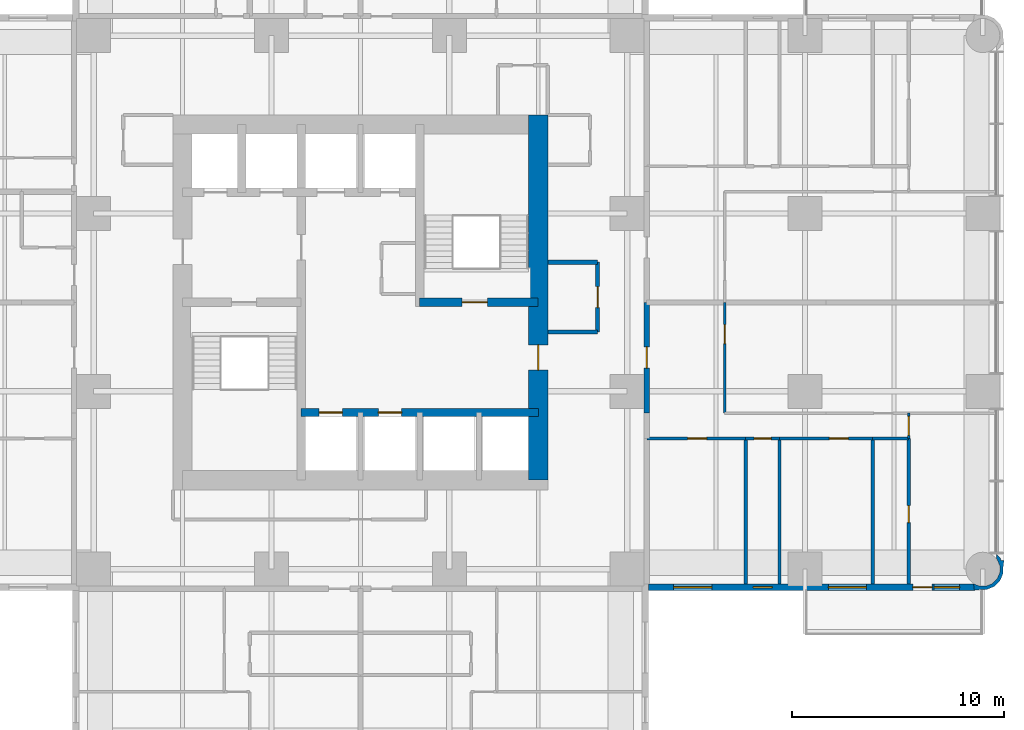
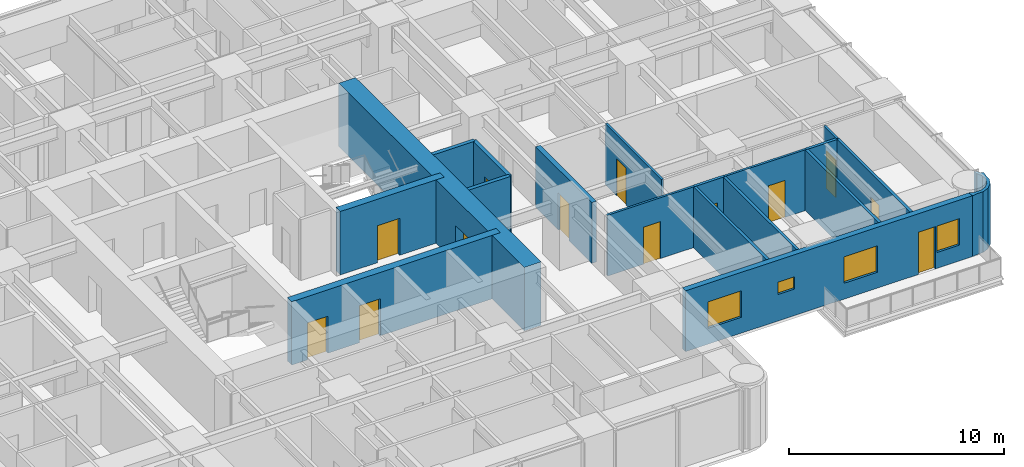
# One storey, part 9 of 14: 19 walls, 13 doors, 4 windows, 17 openings.
"""IFC4 building model written with IfcOpenShell, lengths in metres."""

from ifc_helpers import new_model, si_unit, direction, frame, frame_2d, origin, place, context, subcontext, project, spatial, polyline, rectangle, outline, extrude, material, layer, layer_set, type_object, element, fill, save


model = new_model("IFC4")

# Units and contexts
model_context = context("Model", 3, precision=1e-05, world=origin(), true_north=direction((0.0, 1.0)))
body_context = subcontext(model_context, "Body", "Model", "MODEL_VIEW")
ifc_project = project(units=[si_unit("LENGTHUNIT", "METRE"), si_unit("AREAUNIT", "SQUARE_METRE"), si_unit("VOLUMEUNIT", "CUBIC_METRE"), si_unit("PLANEANGLEUNIT", "RADIAN"), si_unit("MASSUNIT", "GRAM", prefix="KILO")], contexts=[model_context])

# Site, building, storey
site_placement = place(None, origin())
site = spatial("IfcSite", under=ifc_project, at=site_placement, CompositionType="ELEMENT")
building_placement = place(site_placement, origin())
building = spatial("IfcBuilding", under=site, at=building_placement, Name="Torre Alcanfor", CompositionType="ELEMENT")
storey_placement = place(building_placement, frame((0.0, 0.0, 126.89990234375)))
storey = spatial("IfcBuildingStorey", under=building, at=storey_placement, Name="L32", CompositionType="ELEMENT", Elevation=126.89990234375)

# Wall, opening, door
ifc_material_1 = material(Name="Concrete block masonry, hollow blocks NMX-C-404 9 MPa", Category="masonry")
ifc_layer_1 = layer(ifc_material_1, 0.25)
ifc_layer_set_1 = layer_set([ifc_layer_1], Name="Apartment entrance wall 250 EI 60")
wall_type_1 = type_object("IfcWallType", Name="Apartment entrance wall 250 EI 60", PredefinedType="PARTITIONING", material=ifc_layer_set_1)
wall_1_placement = place(storey_placement, frame((42.925048828125, 29.39990234375, 0.0), z_axis=(0.0, 0.0, 1.0), x_axis=(0.0, -1.0, 0.0)))
wall_1 = element("IfcWall", 1, at=wall_1_placement, inside=storey, type_object=wall_type_1, Name="Partition L32-CORR / L32-E2-ZAG", PredefinedType="PARTITIONING", context=body_context, shape_type="SweptSolid", body=[
    extrude(rectangle(XDim=5.22900390625, YDim=0.25, at=frame_2d((2.614501953125, 0.0))), origin(), (0.0, 0.0, 1.0), 3.4501953125),
])
opening_1_placement = place(wall_1_placement, frame((2.10009765625, 0.0, 0.0)))
opening_1 = element("IfcOpeningElement", 2, at=opening_1_placement, cuts=wall_1, Name="Opening D-A1", PredefinedType="OPENING", context=body_context, shape_type="SweptSolid", body=[
    extrude(rectangle(XDim=1.0, YDim=2.10009765625, at=frame_2d((0.5, 1.050048828125))), frame((0.0, 0.135009765625, 0.0), z_axis=(0.0, -1.0, 0.0), x_axis=(1.0, 0.0, 0.0)), (0.0, 0.0, 1.0), 0.27001953125),
])
ifc_material_2 = material(Name="Galvanised steel sheet ASTM A653", Category="steel")
door_type_1 = type_object("IfcDoorType", Name="Apartment entrance door FD60 1000x2100", OperationType="SINGLE_SWING_LEFT", PredefinedType="DOOR", material=ifc_material_2)
door_1_placement = place(opening_1_placement, origin())
door_1 = element("IfcDoor", 3, at=door_1_placement, inside=storey, type_object=door_type_1, Name="Apartment entrance L32-E2", OperationType="SINGLE_SWING_LEFT", OverallHeight=2.10009765625, OverallWidth=1.0, PredefinedType="DOOR", context=body_context, shape_type="SweptSolid", body=[
    extrude(rectangle(XDim=1.0, YDim=2.10009765625, at=frame_2d((0.5, 1.050048828125))), frame((0.0, 0.02490234375, 0.0), z_axis=(0.0, -1.0, 0.0), x_axis=(1.0, 0.0, 0.0)), (0.0, 0.0, 1.0), 0.050048828125),
])
fill(opening_1, door_1)

ifc_material_3 = material(Name="Gypsum board on steel studs", Category="steel")
ifc_layer_2 = layer(ifc_material_3, 0.1201171875)
ifc_layer_set_2 = layer_set([ifc_layer_2], Name="Apartment partition 120")
wall_type_2 = type_object("IfcWallType", Name="Apartment partition 120", PredefinedType="PARTITIONING", material=ifc_layer_set_2)
wall_2_placement = place(storey_placement, frame((46.60009765625, 29.39990234375, 0.0), z_axis=(0.0, 0.0, 1.0), x_axis=(0.0, -1.0, 0.0)))
wall_2 = element("IfcWall", 4, at=wall_2_placement, inside=storey, type_object=wall_type_2, Name="Partition L32-E2-ZAG / L32-E2-KITCHEN", PredefinedType="PARTITIONING", context=body_context, shape_type="SweptSolid", body=[
    extrude(rectangle(XDim=5.22900390625, YDim=0.1201171875, at=frame_2d((2.614501953125, 0.0))), origin(), (0.0, 0.0, 1.0), 3.4501953125),
])
opening_2_placement = place(wall_2_placement, frame((1.050048828125, 0.0, 0.0)))
opening_2 = element("IfcOpeningElement", 5, at=opening_2_placement, cuts=wall_2, Name="Opening D-R1", PredefinedType="OPENING", context=body_context, shape_type="SweptSolid", body=[
    extrude(rectangle(XDim=0.89990234375, YDim=2.10009765625, at=frame_2d((0.449951171875, 1.050048828125))), frame((0.0, 0.070068359375, 0.0), z_axis=(0.0, -1.0, 0.0), x_axis=(1.0, 0.0, 0.0)), (0.0, 0.0, 1.0), 0.14013671875),
])
ifc_material_4 = material(Name="Timber", Category="wood")
door_type_2 = type_object("IfcDoorType", Name="Internal door 900x2100", OperationType="SINGLE_SWING_LEFT", PredefinedType="DOOR", material=ifc_material_4)
door_2_placement = place(opening_2_placement, origin())
door_2 = element("IfcDoor", 6, at=door_2_placement, inside=storey, type_object=door_type_2, Name="Door L32-E2 kitchen", OperationType="SINGLE_SWING_LEFT", OverallHeight=2.10009765625, OverallWidth=0.89990234375, PredefinedType="DOOR", context=body_context, shape_type="SweptSolid", body=[
    extrude(rectangle(XDim=0.89990234375, YDim=2.10009765625, at=frame_2d((0.449951171875, 1.050048828125))), frame((0.0, 0.02490234375, 0.0), z_axis=(0.0, -1.0, 0.0), x_axis=(1.0, 0.0, 0.0)), (0.0, 0.0, 1.0), 0.050048828125),
])
fill(opening_2, door_2)

wall_3_placement = place(storey_placement, frame((47.60009765625, 22.970947265625, 0.0), z_axis=(0.0, 0.0, 1.0), x_axis=(-1.0, 0.0, 0.0)))
wall_3 = element("IfcWall", 7, at=wall_3_placement, inside=storey, type_object=wall_type_2, Name="Partition L32-E2-HALL / L32-E2-BED3", PredefinedType="PARTITIONING", context=body_context, shape_type="SweptSolid", body=[
    extrude(rectangle(XDim=4.675048828125, YDim=0.1201171875, at=frame_2d((2.33740234375, 0.0))), origin(), (0.0, 0.0, 1.0), 3.4501953125),
])
opening_3_placement = place(wall_3_placement, frame((1.85009765625, 0.0, 0.0)))
opening_3 = element("IfcOpeningElement", 8, at=opening_3_placement, cuts=wall_3, Name="Opening D-R1", PredefinedType="OPENING", context=body_context, shape_type="SweptSolid", body=[
    extrude(rectangle(XDim=0.89990234375, YDim=2.10009765625, at=frame_2d((0.449951171875, 1.050048828125))), frame((0.0, 0.070068359375, 0.0), z_axis=(0.0, -1.0, 0.0), x_axis=(1.0, 0.0, 0.0)), (0.0, 0.0, 1.0), 0.14013671875),
])
door_3_placement = place(opening_3_placement, origin())
door_3 = element("IfcDoor", 9, at=door_3_placement, inside=storey, type_object=door_type_2, Name="Door L32-E2 bed3", OperationType="SINGLE_SWING_LEFT", OverallHeight=2.10009765625, OverallWidth=0.89990234375, PredefinedType="DOOR", context=body_context, shape_type="SweptSolid", body=[
    extrude(rectangle(XDim=0.89990234375, YDim=2.10009765625, at=frame_2d((0.449951171875, 1.050048828125))), frame((0.0, 0.02490234375, 0.0), z_axis=(0.0, -1.0, 0.0), x_axis=(1.0, 0.0, 0.0)), (0.0, 0.0, 1.0), 0.050048828125),
])
fill(opening_3, door_3)

wall_4_placement = place(storey_placement, frame((53.60009765625, 22.970947265625, 0.0), z_axis=(0.0, 0.0, 1.0), x_axis=(-1.0, 0.0, 0.0)))
wall_4 = element("IfcWall", 10, at=wall_4_placement, inside=storey, type_object=wall_type_2, Name="Partition L32-E2-HALL / L32-E2-BED2", PredefinedType="PARTITIONING", context=body_context, shape_type="SweptSolid", body=[
    extrude(rectangle(XDim=4.400146484375, YDim=0.1201171875, at=frame_2d((2.2001953125, 0.0))), origin(), (0.0, 0.0, 1.0), 3.4501953125),
])
opening_4_placement = place(wall_4_placement, frame((1.14990234375, 0.0, 0.0)))
opening_4 = element("IfcOpeningElement", 11, at=opening_4_placement, cuts=wall_4, Name="Opening D-R1", PredefinedType="OPENING", context=body_context, shape_type="SweptSolid", body=[
    extrude(rectangle(XDim=0.89990234375, YDim=2.10009765625, at=frame_2d((0.449951171875, 1.050048828125))), frame((0.0, 0.070068359375, 0.0), z_axis=(0.0, -1.0, 0.0), x_axis=(1.0, 0.0, 0.0)), (0.0, 0.0, 1.0), 0.14013671875),
])
door_4_placement = place(opening_4_placement, origin())
door_4 = element("IfcDoor", 12, at=door_4_placement, inside=storey, type_object=door_type_2, Name="Door L32-E2 bed2", OperationType="SINGLE_SWING_LEFT", OverallHeight=2.10009765625, OverallWidth=0.89990234375, PredefinedType="DOOR", context=body_context, shape_type="SweptSolid", body=[
    extrude(rectangle(XDim=0.89990234375, YDim=2.10009765625, at=frame_2d((0.449951171875, 1.050048828125))), frame((0.0, 0.02490234375, 0.0), z_axis=(0.0, -1.0, 0.0), x_axis=(1.0, 0.0, 0.0)), (0.0, 0.0, 1.0), 0.050048828125),
])
fill(opening_4, door_4)

wall_5_placement = place(storey_placement, frame((55.300048828125, 24.1708984375, 0.0), z_axis=(0.0, 0.0, 1.0), x_axis=(0.0, -1.0, 0.0)))
wall_5 = element("IfcWall", 13, at=wall_5_placement, inside=storey, type_object=wall_type_2, Name="Partition L32-E2-HALL / L32-E2-MASTER", PredefinedType="PARTITIONING", context=body_context, shape_type="SweptSolid", body=[
    extrude(rectangle(XDim=1.199951171875, YDim=0.1201171875, at=frame_2d((0.60009765625, 0.0))), origin(), (0.0, 0.0, 1.0), 3.4501953125),
])
opening_5_placement = place(wall_5_placement, frame((0.15087890625, 0.0, 0.0)))
opening_5 = element("IfcOpeningElement", 14, at=opening_5_placement, cuts=wall_5, Name="Opening D-R1", PredefinedType="OPENING", context=body_context, shape_type="SweptSolid", body=[
    extrude(rectangle(XDim=0.89990234375, YDim=2.10009765625, at=frame_2d((0.449951171875, 1.050048828125))), frame((0.0, 0.070068359375, 0.0), z_axis=(0.0, -1.0, 0.0), x_axis=(1.0, 0.0, 0.0)), (0.0, 0.0, 1.0), 0.14013671875),
])
door_5_placement = place(opening_5_placement, origin())
door_5 = element("IfcDoor", 15, at=door_5_placement, inside=storey, type_object=door_type_2, Name="Door L32-E2 master", OperationType="SINGLE_SWING_LEFT", OverallHeight=2.10009765625, OverallWidth=0.89990234375, PredefinedType="DOOR", context=body_context, shape_type="SweptSolid", body=[
    extrude(rectangle(XDim=0.89990234375, YDim=2.10009765625, at=frame_2d((0.449951171875, 1.050048828125))), frame((0.0, 0.02490234375, 0.0), z_axis=(0.0, -1.0, 0.0), x_axis=(1.0, 0.0, 0.0)), (0.0, 0.0, 1.0), 0.050048828125),
])
fill(opening_5, door_5)

# Wall, openings, doors
ifc_material_5 = material(Name="Concrete f'c 70 MPa", Category="concrete")
ifc_layer_3 = layer(ifc_material_5, 0.39990234375)
ifc_layer_set_3 = layer_set([ifc_layer_3], Name="Core inner wall 400 f'c70")
wall_type_3 = type_object("IfcWallType", Name="Core inner wall 400 f'c70", PredefinedType="SHEAR", material=ifc_layer_set_3)
wall_6_placement = place(storey_placement, frame((26.60009765625, 24.199951171875, 0.0), z_axis=(0.0, 0.0, 1.0), x_axis=(1.0, 0.0, 0.0)))
wall_6 = element("IfcWall", 16, at=wall_6_placement, inside=storey, type_object=wall_type_3, Name="Core wall Y242 L32", PredefinedType="SHEAR", context=body_context, shape_type="SweptSolid", body=[
    extrude(rectangle(XDim=11.199951171875, YDim=0.39990234375, at=frame_2d((5.60009765625, 0.0))), origin(), (0.0, 0.0, 1.0), 3.60009765625),
])
opening_6_placement = place(wall_6_placement, frame((0.85009765625, 0.0, 0.0)))
opening_6 = element("IfcOpeningElement", 17, at=opening_6_placement, cuts=wall_6, Name="Opening LD1", PredefinedType="OPENING", context=body_context, shape_type="SweptSolid", body=[
    extrude(rectangle(XDim=1.10009765625, YDim=2.10009765625, at=frame_2d((0.550048828125, 1.050048828125))), frame((0.0, 0.2099609375, 0.0), z_axis=(0.0, -1.0, 0.0), x_axis=(1.0, 0.0, 0.0)), (0.0, 0.0, 1.0), 0.419921875),
])
opening_7_placement = place(wall_6_placement, frame((3.64990234375, 0.0, 0.0)))
opening_7 = element("IfcOpeningElement", 18, at=opening_7_placement, cuts=wall_6, Name="Opening LD1", PredefinedType="OPENING", context=body_context, shape_type="SweptSolid", body=[
    extrude(rectangle(XDim=1.10009765625, YDim=2.10009765625, at=frame_2d((0.550048828125, 1.050048828125))), frame((0.0, 0.2099609375, 0.0), z_axis=(0.0, -1.0, 0.0), x_axis=(1.0, 0.0, 0.0)), (0.0, 0.0, 1.0), 0.419921875),
])
ifc_material_6 = material(Name="Galvanised steel sheet ASTM A653", Category="steel")
door_type_3 = type_object("IfcDoorType", Name="Lift landing door 1100x2100", OperationType="DOUBLE_DOOR_SLIDING", PredefinedType="DOOR", material=ifc_material_6)
door_6_placement = place(opening_6_placement, origin())
door_6 = element("IfcDoor", 19, at=door_6_placement, inside=storey, type_object=door_type_3, Name="Lift landing door PA1 L32", OperationType="DOUBLE_DOOR_SLIDING", OverallHeight=2.10009765625, OverallWidth=1.10009765625, PredefinedType="DOOR", context=body_context, shape_type="SweptSolid", body=[
    extrude(rectangle(XDim=1.10009765625, YDim=2.10009765625, at=frame_2d((0.550048828125, 1.050048828125))), frame((0.0, 0.02490234375, 0.0), z_axis=(0.0, -1.0, 0.0), x_axis=(1.0, 0.0, 0.0)), (0.0, 0.0, 1.0), 0.050048828125),
])
fill(opening_6, door_6)
door_7_placement = place(opening_7_placement, origin())
door_7 = element("IfcDoor", 20, at=door_7_placement, inside=storey, type_object=door_type_3, Name="Lift landing door PA2 L32", OperationType="DOUBLE_DOOR_SLIDING", OverallHeight=2.10009765625, OverallWidth=1.10009765625, PredefinedType="DOOR", context=body_context, shape_type="SweptSolid", body=[
    extrude(rectangle(XDim=1.10009765625, YDim=2.10009765625, at=frame_2d((0.550048828125, 1.050048828125))), frame((0.0, 0.02490234375, 0.0), z_axis=(0.0, -1.0, 0.0), x_axis=(1.0, 0.0, 0.0)), (0.0, 0.0, 1.0), 0.050048828125),
])
fill(opening_7, door_7)

# Wall, opening, door
wall_7_placement = place(storey_placement, frame((32.199951171875, 29.39990234375, 0.0), z_axis=(0.0, 0.0, 1.0), x_axis=(1.0, 0.0, 0.0)))
wall_7 = element("IfcWall", 21, at=wall_7_placement, inside=storey, type_object=wall_type_3, Name="Core wall Y294E L32", PredefinedType="SHEAR", context=body_context, shape_type="SweptSolid", body=[
    extrude(rectangle(XDim=5.60009765625, YDim=0.39990234375, at=frame_2d((2.800048828125, 0.0))), origin(), (0.0, 0.0, 1.0), 3.60009765625),
])
opening_8_placement = place(wall_7_placement, frame((2.0, 0.0, 0.0)))
opening_8 = element("IfcOpeningElement", 22, at=opening_8_placement, cuts=wall_7, Name="Opening D-S2", PredefinedType="OPENING", context=body_context, shape_type="SweptSolid", body=[
    extrude(rectangle(XDim=1.199951171875, YDim=2.10009765625, at=frame_2d((0.60009765625, 1.050048828125))), frame((0.0, 0.2099609375, 0.0), z_axis=(0.0, -1.0, 0.0), x_axis=(1.0, 0.0, 0.0)), (0.0, 0.0, 1.0), 0.419921875),
])
ifc_material_7 = material(Name="Galvanised steel sheet ASTM A653", Category="steel")
door_type_4 = type_object("IfcDoorType", Name="Stair enclosure door FD120 1200x2100", OperationType="SINGLE_SWING_LEFT", PredefinedType="DOOR", material=ifc_material_7)
door_8_placement = place(opening_8_placement, origin())
door_8 = element("IfcDoor", 23, at=door_8_placement, inside=storey, type_object=door_type_4, Name="Stair S2 door L32", OperationType="SINGLE_SWING_LEFT", OverallHeight=2.10009765625, OverallWidth=1.199951171875, PredefinedType="DOOR", context=body_context, shape_type="SweptSolid", body=[
    extrude(rectangle(XDim=1.199951171875, YDim=2.10009765625, at=frame_2d((0.60009765625, 1.050048828125))), frame((0.0, 0.02490234375, 0.0), z_axis=(0.0, -1.0, 0.0), x_axis=(1.0, 0.0, 0.0)), (0.0, 0.0, 1.0), 0.050048828125),
])
fill(opening_8, door_8)

ifc_material_8 = material(Name="Concrete f'c 70 MPa", Category="concrete")
ifc_layer_4 = layer(ifc_material_8, 0.89990234375)
ifc_layer_set_4 = layer_set([ifc_layer_4], Name="Core wall 900 f'c70")
wall_type_4 = type_object("IfcWallType", Name="Core wall 900 f'c70", PredefinedType="SHEAR", material=ifc_layer_set_4)
wall_8_placement = place(storey_placement, frame((37.800048828125, 21.0, 0.0), z_axis=(0.0, 0.0, 1.0), x_axis=(0.0, 1.0, 0.0)))
wall_8 = element("IfcWall", 24, at=wall_8_placement, inside=storey, type_object=wall_type_4, Name="Core wall OUT-E L32", PredefinedType="SHEAR", context=body_context, shape_type="SweptSolid", body=[
    extrude(rectangle(XDim=17.25, YDim=0.89990234375, at=frame_2d((8.625, 0.0))), origin(), (0.0, 0.0, 1.0), 3.60009765625),
])
opening_9_placement = place(wall_8_placement, frame((5.199951171875, 0.0, 0.0)))
opening_9 = element("IfcOpeningElement", 25, at=opening_9_placement, cuts=wall_8, Name="Opening D-L1", PredefinedType="OPENING", context=body_context, shape_type="SweptSolid", body=[
    extrude(rectangle(XDim=1.199951171875, YDim=2.10009765625, at=frame_2d((0.60009765625, 1.050048828125))), frame((0.0, 0.4599609375, 0.0), z_axis=(0.0, -1.0, 0.0), x_axis=(1.0, 0.0, 0.0)), (0.0, 0.0, 1.0), 0.919921875),
])
ifc_material_9 = material(Name="Galvanised steel sheet ASTM A653", Category="steel")
door_type_5 = type_object("IfcDoorType", Name="Lobby door FD120 1200x2100", OperationType="SINGLE_SWING_LEFT", PredefinedType="DOOR", material=ifc_material_9)
door_9_placement = place(opening_9_placement, origin())
door_9 = element("IfcDoor", 26, at=door_9_placement, inside=storey, type_object=door_type_5, Name="Lift lobby entrance door L32", OperationType="SINGLE_SWING_LEFT", OverallHeight=2.10009765625, OverallWidth=1.199951171875, PredefinedType="DOOR", context=body_context, shape_type="SweptSolid", body=[
    extrude(rectangle(XDim=1.199951171875, YDim=2.10009765625, at=frame_2d((0.60009765625, 1.050048828125))), frame((0.0, 0.02490234375, 0.0), z_axis=(0.0, -1.0, 0.0), x_axis=(1.0, 0.0, 0.0)), (0.0, 0.0, 1.0), 0.050048828125),
])
fill(opening_9, door_9)

# Wall, openings, door, windows
ifc_material_10 = material(Name="Limestone cladding", Category="masonry")
ifc_layer_5 = layer(ifc_material_10, 0.0400390625, Name="Facing")
ifc_material_11 = material(Name="Ventilated air cavity")
ifc_layer_6 = layer(ifc_material_11, 0.02001953125, ventilated=True, Name="Ventilated joint")
ifc_material_12 = material(Name="Mineral wool insulation", Category="insulation")
ifc_layer_7 = layer(ifc_material_12, 0.10009765625, Name="Insulation")
ifc_material_13 = material(Name="Concrete f'c 35 MPa", Category="concrete")
ifc_layer_8 = layer(ifc_material_13, 0.139892578125, Name="Backing")
ifc_layer_set_5 = layer_set([ifc_layer_5, ifc_layer_6, ifc_layer_7, ifc_layer_8], Name="External wall stone-clad 300")
wall_type_5 = type_object("IfcWallType", Name="External wall stone-clad 300", PredefinedType="SOLIDWALL", material=ifc_layer_set_5)
wall_9_placement = place(storey_placement, frame((43.0, 15.949951171875, 0.0), z_axis=(0.0, 0.0, 1.0), x_axis=(1.0, 0.0, 0.0)))
wall_9 = element("IfcWall", 27, at=wall_9_placement, inside=storey, type_object=wall_type_5, Name="External wall L32 7", PredefinedType="SOLIDWALL", context=body_context, shape_type="SweptSolid", body=[
    extrude(rectangle(XDim=15.39990234375, YDim=0.300048828125, at=frame_2d((7.699951171875, 0.0))), origin(), (0.0, 0.0, 1.0), 3.4501953125),
])
opening_10_placement = place(wall_9_placement, frame((1.199951171875, 0.0, 0.89990234375)))
opening_10 = element("IfcOpeningElement", 28, at=opening_10_placement, cuts=wall_9, Name="Opening W2", PredefinedType="OPENING", context=body_context, shape_type="SweptSolid", body=[
    extrude(rectangle(XDim=1.800048828125, YDim=1.5, at=frame_2d((0.89990234375, 0.75))), frame((0.0, 0.159912109375, 0.0), z_axis=(0.0, -1.0, 0.0), x_axis=(1.0, 0.0, 0.0)), (0.0, 0.0, 1.0), 0.320068359375),
])
opening_11_placement = place(wall_9_placement, frame((4.949951171875, 0.0, 1.5)))
opening_11 = element("IfcOpeningElement", 29, at=opening_11_placement, cuts=wall_9, Name="Opening W3", PredefinedType="OPENING", context=body_context, shape_type="SweptSolid", body=[
    extrude(rectangle(XDim=0.89990234375, YDim=0.699951171875, at=frame_2d((0.449951171875, 0.35009765625))), frame((0.0, 0.159912109375, 0.0), z_axis=(0.0, -1.0, 0.0), x_axis=(1.0, 0.0, 0.0)), (0.0, 0.0, 1.0), 0.320068359375),
])
opening_12_placement = place(wall_9_placement, frame((8.5, 0.0, 0.89990234375)))
opening_12 = element("IfcOpeningElement", 30, at=opening_12_placement, cuts=wall_9, Name="Opening W2", PredefinedType="OPENING", context=body_context, shape_type="SweptSolid", body=[
    extrude(rectangle(XDim=1.800048828125, YDim=1.5, at=frame_2d((0.89990234375, 0.75))), frame((0.0, 0.159912109375, 0.0), z_axis=(0.0, -1.0, 0.0), x_axis=(1.0, 0.0, 0.0)), (0.0, 0.0, 1.0), 0.320068359375),
])
opening_13_placement = place(wall_9_placement, frame((12.5, 0.0, 0.0)))
opening_13 = element("IfcOpeningElement", 31, at=opening_13_placement, cuts=wall_9, Name="Opening D-B1", PredefinedType="OPENING", context=body_context, shape_type="SweptSolid", body=[
    extrude(rectangle(XDim=0.89990234375, YDim=2.39990234375, at=frame_2d((0.449951171875, 1.199951171875))), frame((0.0, 0.159912109375, 0.0), z_axis=(0.0, -1.0, 0.0), x_axis=(1.0, 0.0, 0.0)), (0.0, 0.0, 1.0), 0.320068359375),
])
opening_14_placement = place(wall_9_placement, frame((13.5, 0.0, 0.89990234375)))
opening_14 = element("IfcOpeningElement", 32, at=opening_14_placement, cuts=wall_9, Name="Opening W4", PredefinedType="OPENING", context=body_context, shape_type="SweptSolid", body=[
    extrude(rectangle(XDim=1.199951171875, YDim=1.5, at=frame_2d((0.60009765625, 0.75))), frame((0.0, 0.159912109375, 0.0), z_axis=(0.0, -1.0, 0.0), x_axis=(1.0, 0.0, 0.0)), (0.0, 0.0, 1.0), 0.320068359375),
])
ifc_material_14 = material(Name="Aluminium and glass", Category="aluminium")
door_type_6 = type_object("IfcDoorType", Name="Balcony door glazed 900x2400", OperationType="SINGLE_SWING_LEFT", PredefinedType="DOOR", material=ifc_material_14)
door_10_placement = place(opening_13_placement, origin())
door_10 = element("IfcDoor", 33, at=door_10_placement, inside=storey, type_object=door_type_6, Name="Balcony door L32-E2", OperationType="SINGLE_SWING_LEFT", OverallHeight=2.39990234375, OverallWidth=0.89990234375, PredefinedType="DOOR", context=body_context, shape_type="SweptSolid", body=[
    extrude(rectangle(XDim=0.89990234375, YDim=2.39990234375, at=frame_2d((0.449951171875, 1.199951171875))), frame((0.0, 0.02490234375, 0.0), z_axis=(0.0, -1.0, 0.0), x_axis=(1.0, 0.0, 0.0)), (0.0, 0.0, 1.0), 0.050048828125),
])
fill(opening_13, door_10)
ifc_material_15 = material(Name="Aluminium frame with clear double glazing", Category="aluminium")
window_type_1 = type_object("IfcWindowType", Name="Window bathroom 900x700", PartitioningType="SINGLE_PANEL", PredefinedType="WINDOW", material=ifc_material_15)
window_1_placement = place(opening_11_placement, origin())
window_1 = element("IfcWindow", 34, at=window_1_placement, inside=storey, type_object=window_type_1, Name="Window W3 L32-E2", OverallHeight=0.699951171875, OverallWidth=0.89990234375, PartitioningType="SINGLE_PANEL", PredefinedType="WINDOW", context=body_context, shape_type="SweptSolid", body=[
    extrude(rectangle(XDim=0.89990234375, YDim=0.699951171875, at=frame_2d((0.449951171875, 0.35009765625))), frame((0.0, 0.030029296875, 0.0), z_axis=(0.0, -1.0, 0.0), x_axis=(1.0, 0.0, 0.0)), (0.0, 0.0, 1.0), 0.06005859375),
])
fill(opening_11, window_1)
ifc_material_16 = material(Name="Aluminium frame with clear double glazing", Category="aluminium")
window_type_2 = type_object("IfcWindowType", Name="Window bedroom 1200x1500", PartitioningType="SINGLE_PANEL", PredefinedType="WINDOW", material=ifc_material_16)
window_2_placement = place(opening_14_placement, origin())
window_2 = element("IfcWindow", 35, at=window_2_placement, inside=storey, type_object=window_type_2, Name="Window W4 L32-E2", OverallHeight=1.5, OverallWidth=1.199951171875, PartitioningType="SINGLE_PANEL", PredefinedType="WINDOW", context=body_context, shape_type="SweptSolid", body=[
    extrude(rectangle(XDim=1.199951171875, YDim=1.5, at=frame_2d((0.60009765625, 0.75))), frame((0.0, 0.030029296875, 0.0), z_axis=(0.0, -1.0, 0.0), x_axis=(1.0, 0.0, 0.0)), (0.0, 0.0, 1.0), 0.06005859375),
])
fill(opening_14, window_2)
ifc_material_17 = material(Name="Aluminium frame with clear double glazing", Category="aluminium")
window_type_3 = type_object("IfcWindowType", Name="Window bedroom 1800x1500", PartitioningType="SINGLE_PANEL", PredefinedType="WINDOW", material=ifc_material_17)
window_3_placement = place(opening_10_placement, origin())
window_3 = element("IfcWindow", 36, at=window_3_placement, inside=storey, type_object=window_type_3, Name="Window W2 L32-E2", OverallHeight=1.5, OverallWidth=1.800048828125, PartitioningType="SINGLE_PANEL", PredefinedType="WINDOW", context=body_context, shape_type="SweptSolid", body=[
    extrude(rectangle(XDim=1.800048828125, YDim=1.5, at=frame_2d((0.89990234375, 0.75))), frame((0.0, 0.030029296875, 0.0), z_axis=(0.0, -1.0, 0.0), x_axis=(1.0, 0.0, 0.0)), (0.0, 0.0, 1.0), 0.06005859375),
])
fill(opening_10, window_3)
window_4_placement = place(opening_12_placement, origin())
window_4 = element("IfcWindow", 37, at=window_4_placement, inside=storey, type_object=window_type_3, Name="Window W2 L32-E2", OverallHeight=1.5, OverallWidth=1.800048828125, PartitioningType="SINGLE_PANEL", PredefinedType="WINDOW", context=body_context, shape_type="SweptSolid", body=[
    extrude(rectangle(XDim=1.800048828125, YDim=1.5, at=frame_2d((0.89990234375, 0.75))), frame((0.0, 0.030029296875, 0.0), z_axis=(0.0, -1.0, 0.0), x_axis=(1.0, 0.0, 0.0)), (0.0, 0.0, 1.0), 0.06005859375),
])
fill(opening_12, window_4)

# Wall
ifc_material_18 = material(Name="Concrete block masonry, hollow blocks NMX-C-404 9 MPa", Category="masonry")
ifc_layer_9 = layer(ifc_material_18, 0.199951171875)
ifc_layer_set_6 = layer_set([ifc_layer_9], Name="Plant room wall 200 EI 60")
wall_type_6 = type_object("IfcWallType", Name="Plant room wall 200 EI 60", PredefinedType="PARTITIONING", material=ifc_layer_set_6)
wall_10_placement = place(storey_placement, frame((38.25, 28.0, 0.0), z_axis=(0.0, 0.0, 1.0), x_axis=(1.0, 0.0, 0.0)))
element("IfcWall", 38, at=wall_10_placement, inside=storey, type_object=wall_type_6, Name="Partition L32-CORR / L32-G02", PredefinedType="PARTITIONING", context=body_context, shape_type="SweptSolid", body=[
    extrude(rectangle(XDim=2.35009765625, YDim=0.199951171875, at=frame_2d((1.175048828125, 0.0))), origin(), (0.0, 0.0, 1.0), 3.4501953125),
])

# Wall, opening, door
wall_11_placement = place(storey_placement, frame((40.60009765625, 28.0, 0.0), z_axis=(0.0, 0.0, 1.0), x_axis=(0.0, 1.0, 0.0)))
wall_11 = element("IfcWall", 39, at=wall_11_placement, inside=storey, type_object=wall_type_6, Name="Partition L32-CORR / L32-G02", PredefinedType="PARTITIONING", context=body_context, shape_type="SweptSolid", body=[
    extrude(rectangle(XDim=3.300048828125, YDim=0.199951171875, at=frame_2d((1.64990234375, 0.0))), origin(), (0.0, 0.0, 1.0), 3.4501953125),
])
opening_15_placement = place(wall_11_placement, frame((1.14990234375, 0.0, 0.0)))
opening_15 = element("IfcOpeningElement", 40, at=opening_15_placement, cuts=wall_11, Name="Opening D-K1", PredefinedType="OPENING", context=body_context, shape_type="SweptSolid", body=[
    extrude(rectangle(XDim=1.0, YDim=2.10009765625, at=frame_2d((0.5, 1.050048828125))), frame((0.0, 0.10986328125, 0.0), z_axis=(0.0, -1.0, 0.0), x_axis=(1.0, 0.0, 0.0)), (0.0, 0.0, 1.0), 0.219970703125),
])
ifc_material_19 = material(Name="Galvanised steel sheet ASTM A653", Category="steel")
door_type_7 = type_object("IfcDoorType", Name="Core room door FD60 1000x2100", OperationType="SINGLE_SWING_LEFT", PredefinedType="DOOR", material=ifc_material_19)
door_11_placement = place(opening_15_placement, origin())
door_11 = element("IfcDoor", 41, at=door_11_placement, inside=storey, type_object=door_type_7, Name="Door L32-G02 refuse and recycling store", OperationType="SINGLE_SWING_LEFT", OverallHeight=2.10009765625, OverallWidth=1.0, PredefinedType="DOOR", context=body_context, shape_type="SweptSolid", body=[
    extrude(rectangle(XDim=1.0, YDim=2.10009765625, at=frame_2d((0.5, 1.050048828125))), frame((0.0, 0.02490234375, 0.0), z_axis=(0.0, -1.0, 0.0), x_axis=(1.0, 0.0, 0.0)), (0.0, 0.0, 1.0), 0.050048828125),
])
fill(opening_15, door_11)

# Walls
wall_12_placement = place(storey_placement, frame((40.60009765625, 31.300048828125, 0.0), z_axis=(0.0, 0.0, 1.0), x_axis=(-1.0, 0.0, 0.0)))
element("IfcWall", 42, at=wall_12_placement, inside=storey, type_object=wall_type_6, Name="Partition L32-CORR / L32-G02", PredefinedType="PARTITIONING", context=body_context, shape_type="SweptSolid", body=[
    extrude(rectangle(XDim=2.35009765625, YDim=0.199951171875, at=frame_2d((1.175048828125, 0.0))), origin(), (0.0, 0.0, 1.0), 3.4501953125),
])
ifc_layer_10 = layer(ifc_material_10, 0.0400390625, Name="Facing")
ifc_layer_11 = layer(ifc_material_11, 0.02001953125, ventilated=True, Name="Ventilated joint")
ifc_layer_12 = layer(ifc_material_12, 0.10009765625, Name="Insulation")
ifc_layer_13 = layer(ifc_material_13, 0.139892578125, Name="Backing")
ifc_layer_set_7 = layer_set([ifc_layer_10, ifc_layer_11, ifc_layer_12, ifc_layer_13], Name="Rounded corner pier stone-clad 300")
wall_type_7 = type_object("IfcWallType", Name="Rounded corner pier stone-clad 300", PredefinedType="SOLIDWALL", material=ifc_layer_set_7)
wall_13_placement = place(storey_placement, frame((58.473176205, 15.982940512, 0.0), z_axis=(0.0, 0.0, 1.0), x_axis=(0.93923434088, -0.343276641956, 0.0)))
element("IfcWall", 43, at=wall_13_placement, inside=storey, type_object=wall_type_7, Name="Corner pier L32 17", PredefinedType="SOLIDWALL", context=body_context, shape_type="SweptSolid", body=[
    extrude(outline(polyline([(0.8284730010654036, 1.5985425833407376), (0.696550254150438, 1.5690420941096577), (0.604150309609554, 1.6696580493968027), (0.3940514645210207, 1.7672868618913617), (0.47123842429676593, 1.5560967183488668), (0.5084988752141064, 1.538782517623304), (0.7242236800575332, 1.304144262222244), (0.8335928250166512, 1.004900899222292), (0.8200123708562836, 0.6864548699061994), (0.6857181921193565, 0.39745154052212156), (0.4509961289443815, 0.18195604093769838), (0.15175276594442946, 0.07258689597858048), (-0.11627514476265094, 0.08405951949541965), (-0.12738305855443924, 0.07818018621272643), (-0.1459567845337466, 0.07139175652560875), (-0.006038883692560254, -0.1969313551897346), (0.2657016888450987, -0.05498461418889633), (0.5353646734335612, 0.04357332793518234), (0.8165937238928549, 0.3018001061266741), (0.9775139424010254, 0.6481031205348973), (0.9937655592370759, 1.0296500763704852), (0.8951238093390822, 1.2995423662179517), (0.8284730010654036, 1.5985425833407376)])), origin(), (0.0, 0.0, 1.0), 3.4501953125),
])

# Wall, opening, door
ifc_material_20 = material(Name="Cement board on steel studs", Category="steel")
ifc_layer_14 = layer(ifc_material_20, 0.14990234375)
ifc_layer_set_8 = layer_set([ifc_layer_14], Name="Wet area partition 150")
wall_type_8 = type_object("IfcWallType", Name="Wet area partition 150", PredefinedType="PARTITIONING", material=ifc_layer_set_8)
wall_14_placement = place(storey_placement, frame((49.199951171875, 22.970947265625, 0.0), z_axis=(0.0, 0.0, 1.0), x_axis=(-1.0, 0.0, 0.0)))
wall_14 = element("IfcWall", 44, at=wall_14_placement, inside=storey, type_object=wall_type_8, Name="Partition L32-E2-HALL / L32-E2-BATH1", PredefinedType="PARTITIONING", context=body_context, shape_type="SweptSolid", body=[
    extrude(rectangle(XDim=1.599853515625, YDim=0.14990234375, at=frame_2d((0.7998046875, 0.0))), origin(), (0.0, 0.0, 1.0), 3.4501953125),
])
opening_16_placement = place(wall_14_placement, frame((0.39990234375, 0.0, 0.0)))
opening_16 = element("IfcOpeningElement", 45, at=opening_16_placement, cuts=wall_14, Name="Opening D-R2", PredefinedType="OPENING", context=body_context, shape_type="SweptSolid", body=[
    extrude(rectangle(XDim=0.800048828125, YDim=2.10009765625, at=frame_2d((0.39990234375, 1.050048828125))), frame((0.0, 0.0849609375, 0.0), z_axis=(0.0, -1.0, 0.0), x_axis=(1.0, 0.0, 0.0)), (0.0, 0.0, 1.0), 0.169921875),
])
ifc_material_21 = material(Name="Timber", Category="wood")
door_type_8 = type_object("IfcDoorType", Name="Bathroom door 800x2100", OperationType="SINGLE_SWING_LEFT", PredefinedType="DOOR", material=ifc_material_21)
door_12_placement = place(opening_16_placement, origin())
door_12 = element("IfcDoor", 46, at=door_12_placement, inside=storey, type_object=door_type_8, Name="Door L32-E2 bath1", OperationType="SINGLE_SWING_LEFT", OverallHeight=2.10009765625, OverallWidth=0.800048828125, PredefinedType="DOOR", context=body_context, shape_type="SweptSolid", body=[
    extrude(rectangle(XDim=0.800048828125, YDim=2.10009765625, at=frame_2d((0.39990234375, 1.050048828125))), frame((0.0, 0.02490234375, 0.0), z_axis=(0.0, -1.0, 0.0), x_axis=(1.0, 0.0, 0.0)), (0.0, 0.0, 1.0), 0.050048828125),
])
fill(opening_16, door_12)

# Walls
wall_15_placement = place(storey_placement, frame((55.300048828125, 22.970947265625, 0.0), z_axis=(0.0, 0.0, 1.0), x_axis=(-1.0, 0.0, 0.0)))
element("IfcWall", 47, at=wall_15_placement, inside=storey, type_object=wall_type_8, Name="Partition L32-E2-HALL / L32-E2-ENSBATH", PredefinedType="PARTITIONING", context=body_context, shape_type="SweptSolid", body=[
    extrude(rectangle(XDim=1.699951171875, YDim=0.14990234375, at=frame_2d((0.85009765625, 0.0))), origin(), (0.0, 0.0, 1.0), 3.4501953125),
])
for number, where, z_axis, x_axis, name in (
    (48, (47.60009765625, 22.970947265625, 0.0), (0.0, 0.0, 1.0), (0.0, -1.0, 0.0), "Partition L32-E2-BED3 / L32-E2-BATH1"),
    (49, (49.199951171875, 22.970947265625, 0.0), (0.0, 0.0, 1.0), (0.0, -1.0, 0.0), "Partition L32-E2-BATH1 / L32-E2-BED2"),
    (50, (53.60009765625, 22.970947265625, 0.0), (0.0, 0.0, 1.0), (0.0, -1.0, 0.0), "Partition L32-E2-BED2 / L32-E2-ENSBATH"),
):
    element("IfcWall", number, at=place(storey_placement, frame(where, z_axis=z_axis, x_axis=x_axis)), inside=storey, type_object=wall_type_8, Name=name, PredefinedType="PARTITIONING", context=body_context, shape_type="SweptSolid", body=[
        extrude(rectangle(XDim=6.870849609375, YDim=0.14990234375, at=frame_2d((3.435546875, 0.0))), origin(), (0.0, 0.0, 1.0), 3.4501953125),
    ])

# Wall, opening, door
wall_16_placement = place(storey_placement, frame((55.300048828125, 22.970947265625, 0.0), z_axis=(0.0, 0.0, 1.0), x_axis=(0.0, -1.0, 0.0)))
wall_16 = element("IfcWall", 51, at=wall_16_placement, inside=storey, type_object=wall_type_8, Name="Partition L32-E2-ENSBATH / L32-E2-MASTER", PredefinedType="PARTITIONING", context=body_context, shape_type="SweptSolid", body=[
    extrude(rectangle(XDim=6.870849609375, YDim=0.14990234375, at=frame_2d((3.435546875, 0.0))), origin(), (0.0, 0.0, 1.0), 3.4501953125),
])
opening_17_placement = place(wall_16_placement, frame((3.1708984375, 0.0, 0.0)))
opening_17 = element("IfcOpeningElement", 52, at=opening_17_placement, cuts=wall_16, Name="Opening D-R2", PredefinedType="OPENING", context=body_context, shape_type="SweptSolid", body=[
    extrude(rectangle(XDim=0.800048828125, YDim=2.10009765625, at=frame_2d((0.39990234375, 1.050048828125))), frame((0.0, 0.0849609375, 0.0), z_axis=(0.0, -1.0, 0.0), x_axis=(1.0, 0.0, 0.0)), (0.0, 0.0, 1.0), 0.169921875),
])
door_13_placement = place(opening_17_placement, frame((0.800048828125, 0.0, 0.0), z_axis=(0.0, 0.0, 1.0), x_axis=(-1.0, 0.0, 0.0)))
door_13 = element("IfcDoor", 53, at=door_13_placement, inside=storey, type_object=door_type_8, Name="Door L32-E2 ensbath", OperationType="SINGLE_SWING_LEFT", OverallHeight=2.10009765625, OverallWidth=0.800048828125, PredefinedType="DOOR", context=body_context, shape_type="SweptSolid", body=[
    extrude(rectangle(XDim=0.800048828125, YDim=2.10009765625, at=frame_2d((0.400146484375, 1.050048828125))), frame((0.0, 0.025146484375, 0.0), z_axis=(0.0, -1.0, 0.0), x_axis=(1.0, 0.0, 0.0)), (0.0, 0.0, 1.0), 0.050048828125),
])
fill(opening_17, door_13)

save(model, "model.ifc")
